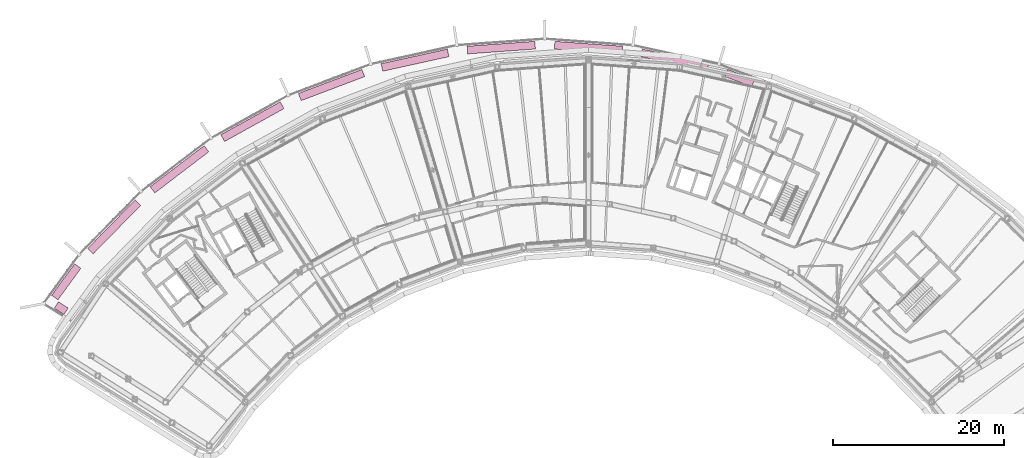
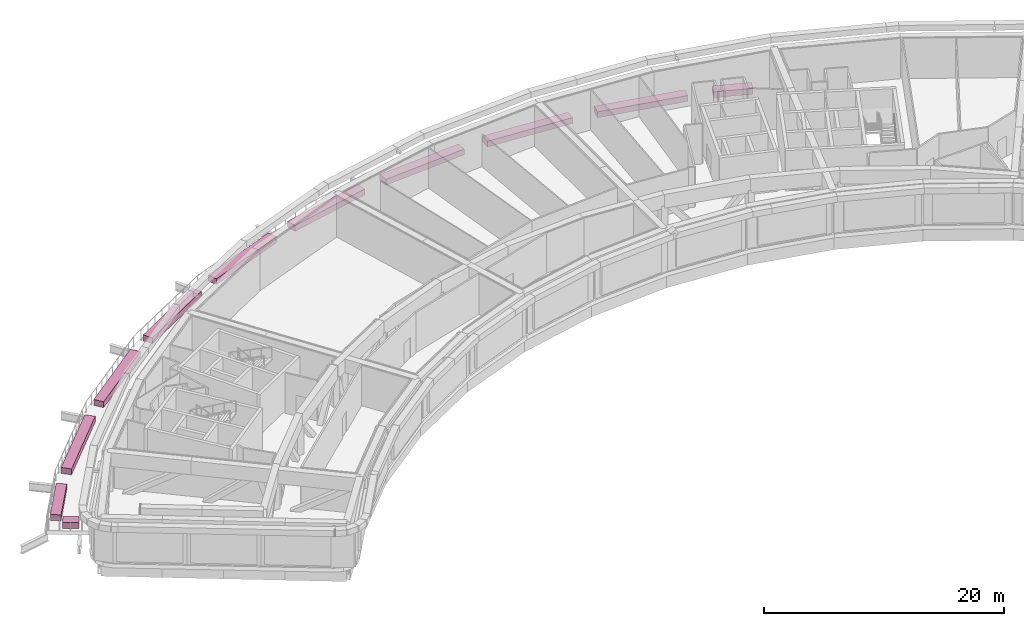
# One storey, part 24 of 24: 11 furnishings.
"""IFC4 building model written with IfcOpenShell, lengths in metres."""

from ifc_helpers import new_model, si_unit, direction, frame, origin, origin_2d, place, context, subcontext, project, spatial, rectangle, extrude, material, type_object, element, save


model = new_model("IFC4")

# Units and contexts
model_context = context("Model", 3, precision=1e-05, world=origin(), true_north=direction((0.0, 1.0)))
body_context = subcontext(model_context, "Body", "Model", "MODEL_VIEW")
ifc_project = project(units=[si_unit("LENGTHUNIT", "METRE"), si_unit("AREAUNIT", "SQUARE_METRE"), si_unit("VOLUMEUNIT", "CUBIC_METRE"), si_unit("PLANEANGLEUNIT", "RADIAN"), si_unit("MASSUNIT", "GRAM", prefix="KILO")], contexts=[model_context])

# Site, building, storey
site_placement = place(None, origin())
site = spatial("IfcSite", under=ifc_project, at=site_placement, CompositionType="ELEMENT")
building_placement = place(site_placement, origin())
building = spatial("IfcBuilding", under=site, at=building_placement, Name="Tuul Gate Civic Tower", CompositionType="ELEMENT")
storey_placement = place(building_placement, frame((0.0, 0.0, 243.89990234375)))
storey = spatial("IfcBuildingStorey", under=building, at=storey_placement, Name="Plant and refuge floor 6", CompositionType="ELEMENT", Elevation=243.89990234375)

# Furnishings
ifc_material = material(Name="Planting soil")
furnishing_element_type = type_object("IfcFurnishingElementType", Name="Planter", material=ifc_material)
furnishing_1_placement = place(storey_placement, frame((28.715087890625, 11.379150390625, 0.0), z_axis=(0.0, 0.0, 1.0), x_axis=(-0.935326115651, 0.353786739973, 0.0)))
element("IfcFurnishingElement", 1, at=furnishing_1_placement, inside=storey, type_object=furnishing_element_type, Name="Planter", context=body_context, shape_type="SweptSolid", body=[
    extrude(rectangle(XDim=3.335205078125, YDim=0.89990234375, at=origin_2d()), origin(), (0.0, 0.0, 1.0), 0.60009765625),
])
furnishing_2_placement = place(storey_placement, frame((21.103271484375, 13.47119140625, 0.0), z_axis=(0.0, 0.0, 1.0), x_axis=(-0.976579778699, 0.215155608423, 0.0)))
element("IfcFurnishingElement", 2, at=furnishing_2_placement, inside=storey, type_object=furnishing_element_type, Name="Planter", context=body_context, shape_type="SweptSolid", body=[
    extrude(rectangle(XDim=7.9228515625, YDim=0.89990234375, at=origin_2d()), origin(), (0.0, 0.0, 1.0), 0.60009765625),
])
furnishing_3_placement = place(storey_placement, frame((11.02978515625, 14.93798828125, 0.0), z_axis=(0.0, 0.0, 1.0), x_axis=(-0.997384897195, 0.072272863839, 0.0)))
element("IfcFurnishingElement", 3, at=furnishing_3_placement, inside=storey, type_object=furnishing_element_type, Name="Planter", context=body_context, shape_type="SweptSolid", body=[
    extrude(rectangle(XDim=7.921875, YDim=0.89990234375, at=origin_2d()), origin(), (0.0, 0.0, 1.0), 0.60009765625),
])
furnishing_4_placement = place(storey_placement, frame((0.849853515625, 14.93798828125, 0.0), z_axis=(0.0, 0.0, 1.0), x_axis=(-0.997385403163, -0.072265881002, 0.0)))
element("IfcFurnishingElement", 4, at=furnishing_4_placement, inside=storey, type_object=furnishing_element_type, Name="Planter", context=body_context, shape_type="SweptSolid", body=[
    extrude(rectangle(XDim=7.923095703125, YDim=0.89990234375, at=origin_2d()), origin(), (0.0, 0.0, 1.0), 0.60009765625),
])
furnishing_5_placement = place(storey_placement, frame((-9.223876953125, 13.47119140625, 0.0), z_axis=(0.0, 0.0, 1.0), x_axis=(-0.976575293612, -0.215175964985, 0.0)))
element("IfcFurnishingElement", 5, at=furnishing_5_placement, inside=storey, type_object=furnishing_element_type, Name="Planter", context=body_context, shape_type="SweptSolid", body=[
    extrude(rectangle(XDim=7.921875, YDim=0.89990234375, at=origin_2d()), origin(), (0.0, 0.0, 1.0), 0.60009765625),
])
furnishing_6_placement = place(storey_placement, frame((-18.98046875, 10.567626953125, 0.0), z_axis=(0.0, 0.0, 1.0), x_axis=(-0.935326115651, -0.353786739973, 0.0)))
element("IfcFurnishingElement", 6, at=furnishing_6_placement, inside=storey, type_object=furnishing_element_type, Name="Planter", context=body_context, shape_type="SweptSolid", body=[
    extrude(rectangle(XDim=7.922607421875, YDim=0.89990234375, at=origin_2d()), origin(), (0.0, 0.0, 1.0), 0.60009765625),
])
furnishing_7_placement = place(storey_placement, frame((-28.2177734375, 6.288330078125, 0.0), z_axis=(0.0, 0.0, 1.0), x_axis=(-0.874654883327, -0.484746155294, 0.0)))
element("IfcFurnishingElement", 7, at=furnishing_7_placement, inside=storey, type_object=furnishing_element_type, Name="Planter", context=body_context, shape_type="SweptSolid", body=[
    extrude(rectangle(XDim=7.9228515625, YDim=0.89990234375, at=origin_2d()), origin(), (0.0, 0.0, 1.0), 0.60009765625),
])
furnishing_8_placement = place(storey_placement, frame((-36.741455078125, 0.722900390625, 0.0), z_axis=(0.0, 0.0, 1.0), x_axis=(-0.795607383529, -0.605812587583, 0.0)))
element("IfcFurnishingElement", 8, at=furnishing_8_placement, inside=storey, type_object=furnishing_element_type, Name="Planter", context=body_context, shape_type="SweptSolid", body=[
    extrude(rectangle(XDim=7.921630859375, YDim=0.89990234375, at=origin_2d()), origin(), (0.0, 0.0, 1.0), 0.60009765625),
])
furnishing_9_placement = place(storey_placement, frame((-44.373779296875, -6.012939453125, 0.0), z_axis=(0.0, 0.0, 1.0), x_axis=(-0.6999997359, -0.714143101724, 0.0)))
element("IfcFurnishingElement", 9, at=furnishing_9_placement, inside=storey, type_object=furnishing_element_type, Name="Planter", context=body_context, shape_type="SweptSolid", body=[
    extrude(rectangle(XDim=7.9228515625, YDim=0.89990234375, at=origin_2d()), origin(), (0.0, 0.0, 1.0), 0.60009765625),
])
furnishing_10_placement = place(storey_placement, frame((-49.95947265625, -12.413818359375, 0.0), z_axis=(0.0, 0.0, 1.0), x_axis=(-0.58985767181, -0.807507230312, 0.0)))
element("IfcFurnishingElement", 10, at=furnishing_10_placement, inside=storey, type_object=furnishing_element_type, Name="Planter", context=body_context, shape_type="SweptSolid", body=[
    extrude(rectangle(XDim=4.542236328125, YDim=0.89990234375, at=origin_2d()), origin(), (0.0, 0.0, 1.0), 0.60009765625),
])
furnishing_11_placement = place(storey_placement, frame((-50.55419921875, -15.49169921875, 0.0), z_axis=(0.0, 0.0, 1.0), x_axis=(0.848033766116, -0.529942196401, 0.0)))
element("IfcFurnishingElement", 11, at=furnishing_11_placement, inside=storey, type_object=furnishing_element_type, Name="Planter", context=body_context, shape_type="SweptSolid", body=[
    extrude(rectangle(XDim=1.351806640625, YDim=0.89990234375, at=origin_2d()), origin(), (0.0, 0.0, 1.0), 0.60009765625),
])

save(model, "model.ifc")
